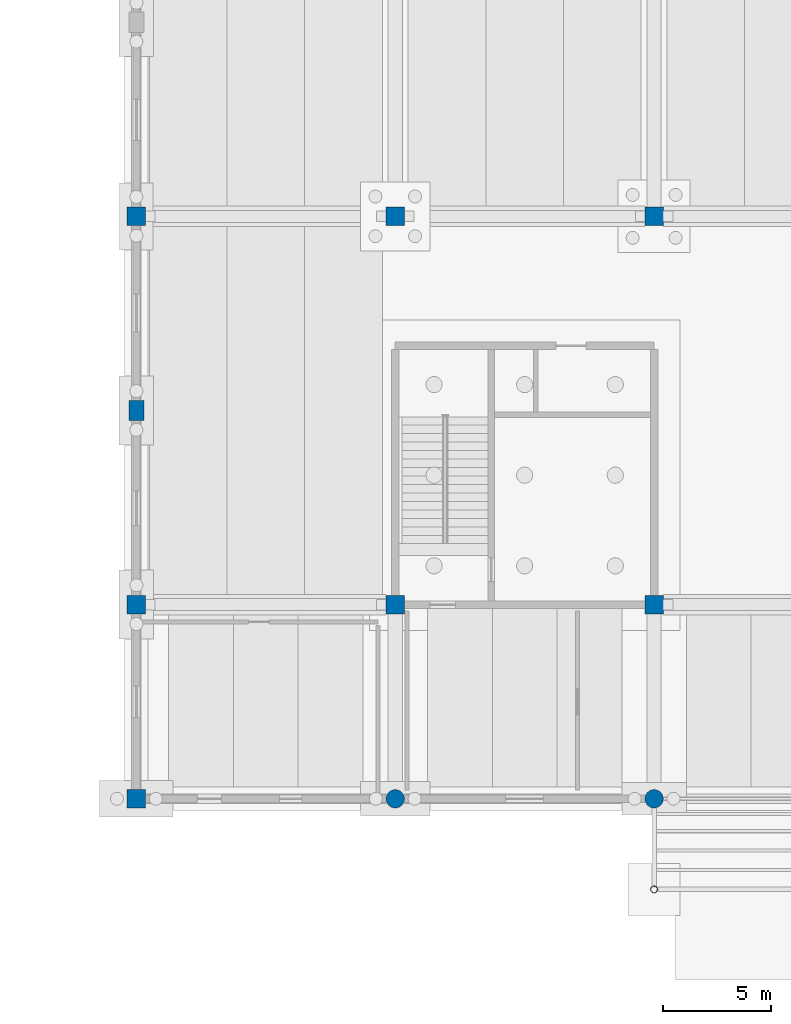
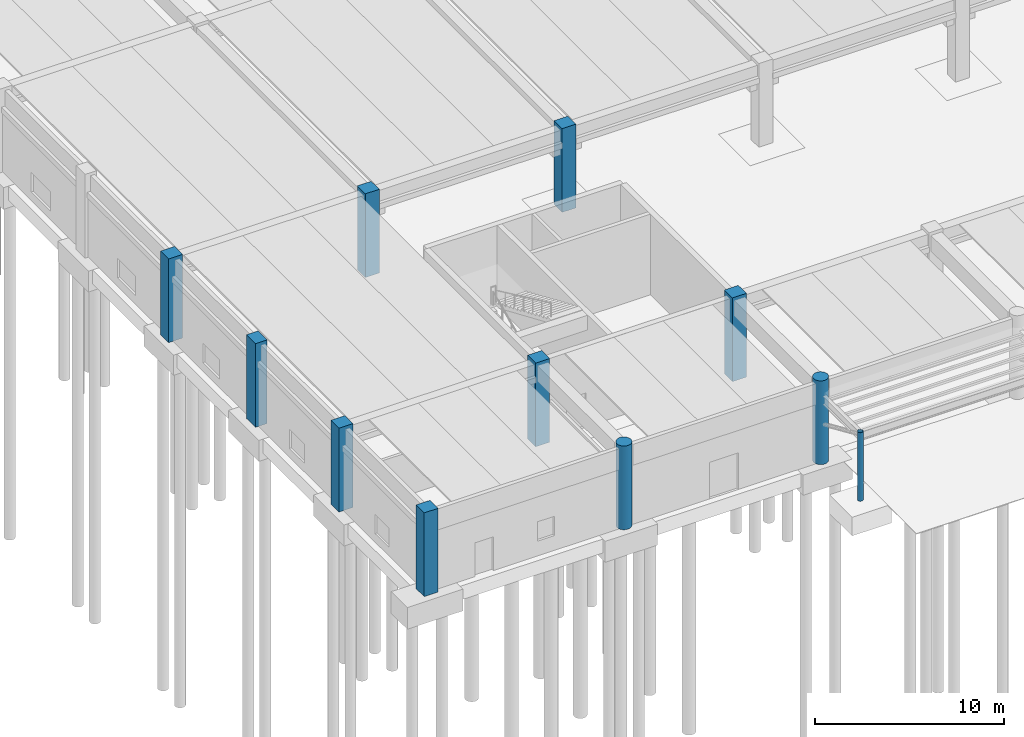
# One storey, part 6 of 59: 11 columns.
"""IFC4 building model written with IfcOpenShell, lengths in metres."""

from ifc_helpers import new_model, si_unit, direction, frame, origin, origin_2d, place, context, subcontext, project, spatial, rectangle, circle, hollow_circle, extrude, material, material_profile, profile_set, type_object, element, save


model = new_model("IFC4")

# Units and contexts
model_context = context("Model", 3, precision=1e-05, world=origin(), true_north=direction((0.0, 1.0)))
body_context = subcontext(model_context, "Body", "Model", "MODEL_VIEW")
ifc_project = project(units=[si_unit("LENGTHUNIT", "METRE"), si_unit("AREAUNIT", "SQUARE_METRE"), si_unit("VOLUMEUNIT", "CUBIC_METRE"), si_unit("PLANEANGLEUNIT", "RADIAN"), si_unit("MASSUNIT", "GRAM", prefix="KILO")], contexts=[model_context])

# Site, building, storey
site_placement = place(None, origin())
site = spatial("IfcSite", under=ifc_project, at=site_placement, CompositionType="ELEMENT")
building_placement = place(site_placement, origin())
building = spatial("IfcBuilding", under=site, at=building_placement, Name="Girod Span Mobility Hub", CompositionType="ELEMENT")
storey_placement = place(building_placement, origin())
storey = spatial("IfcBuildingStorey", under=building, at=storey_placement, Name="L00", CompositionType="ELEMENT", Elevation=0.0)

# Columns
ifc_material_1 = material(Name="Concrete C40/50", Category="concrete")
ifc_material_profile_1 = material_profile(ifc_material_1, rectangle(XDim=0.85009765625, YDim=0.85009765625, at=origin_2d()), Name="PC-COL-850X850")
ifc_profile_set_1 = profile_set([ifc_material_profile_1], Name="Concrete C40/50")
column_type_1 = type_object("IfcColumnType", Name="COL-PC-850X850", PredefinedType="COLUMN", material=ifc_profile_set_1)
for number, where, z_axis, x_axis, name in (
    (1, (0.0, 0.0, 0.0), (0.0, 0.0, 1.0), (1.0, 0.0, 0.0), "Column 1A L00"),
    (2, (0.0, 9.0, 0.0), (0.0, 0.0, 1.0), (1.0, 0.0, 0.0), "Column 1B L00"),
    (3, (0.0, 27.0, 0.0), (0.0, 0.0, 1.0), (1.0, 0.0, 0.0), "Column 1C L00"),
    (4, (12.0, 9.0, 0.0), (0.0, 0.0, 1.0), (1.0, 0.0, 0.0), "Column 2B L00"),
    (5, (12.0, 27.0, 0.0), (0.0, 0.0, 1.0), (1.0, 0.0, 0.0), "Column 2C L00"),
    (6, (24.0, 9.0, 0.0), (0.0, 0.0, 1.0), (1.0, 0.0, 0.0), "Column 3B L00"),
    (7, (24.0, 27.0, 0.0), (0.0, 0.0, 1.0), (1.0, 0.0, 0.0), "Column 3C L00"),
):
    element("IfcColumn", number, at=place(storey_placement, frame(where, z_axis=z_axis, x_axis=x_axis)), inside=storey, type_object=column_type_1, Name=name, PredefinedType="COLUMN", context=body_context, shape_type="SweptSolid", body=[
        extrude(rectangle(XDim=0.85009765625, YDim=0.85009765625, at=origin_2d()), origin(), (0.0, 0.0, 1.0), 5.39990234375),
    ])
ifc_material_2 = material(Name="Concrete C40/50", Category="concrete")
ifc_material_profile_2 = material_profile(ifc_material_2, circle(Radius=0.425048828125, at=origin_2d()), Name="PC-CIR-D850")
ifc_profile_set_2 = profile_set([ifc_material_profile_2], Name="Concrete C40/50")
column_type_2 = type_object("IfcColumnType", Name="COL-PC-D850", PredefinedType="COLUMN", material=ifc_profile_set_2)
for number, where, z_axis, x_axis, name in (
    (8, (12.0, 0.0, 0.0), (0.0, 0.0, 1.0), (1.0, 0.0, 0.0), "Column 2A L00"),
    (9, (24.0, 0.0, 0.0), (0.0, 0.0, 1.0), (1.0, 0.0, 0.0), "Column 3A L00"),
):
    element("IfcColumn", number, at=place(storey_placement, frame(where, z_axis=z_axis, x_axis=x_axis)), inside=storey, type_object=column_type_2, Name=name, PredefinedType="COLUMN", context=body_context, shape_type="SweptSolid", body=[
        extrude(circle(Radius=0.425048828125, at=origin_2d()), origin(), (0.0, 0.0, 1.0), 5.39990234375),
    ])
ifc_material_3 = material(Name="Steel HSS A500 Grade C", Category="steel")
ifc_material_profile_3 = material_profile(ifc_material_3, hollow_circle(Radius=0.162109375, WallThickness=0.01171875, at=origin_2d()), Name="HSS324X12.7")
ifc_profile_set_3 = profile_set([ifc_material_profile_3], Name="Steel HSS A500 Grade C")
column_type_3 = type_object("IfcColumnType", Name="COL-STL-HSS324", PredefinedType="COLUMN", material=ifc_profile_set_3)
column_1_placement = place(storey_placement, frame((24.0, -4.199951171875, 0.0), z_axis=(0.0, 0.0, 1.0), x_axis=(1.0, 0.0, 0.0)))
element("IfcColumn", 10, at=column_1_placement, inside=storey, type_object=column_type_3, Name="Boulevard Canopy Column CN-1", PredefinedType="COLUMN", context=body_context, shape_type="SweptSolid", body=[
    extrude(hollow_circle(Radius=0.162109375, WallThickness=0.01171875, at=origin_2d()), origin(), (0.0, 0.0, 1.0), 4.419921875),
])
ifc_material_4 = material(Name="Concrete C40/50", Category="concrete")
ifc_material_profile_4 = material_profile(ifc_material_4, rectangle(XDim=0.699951171875, YDim=0.949951171875, at=origin_2d()), Name="PC-PIL-700X950")
ifc_profile_set_4 = profile_set([ifc_material_profile_4], Name="Concrete C40/50")
column_type_4 = type_object("IfcColumnType", Name="PIL-PC-700X950", PredefinedType="PILASTER", material=ifc_profile_set_4)
column_2_placement = place(storey_placement, frame((0.0, 18.0, 0.0), z_axis=(0.0, 0.0, 1.0), x_axis=(1.0, 0.0, 0.0)))
element("IfcColumn", 11, at=column_2_placement, inside=storey, type_object=column_type_4, Name="Precast Pilaster PIL-W-18 L00", PredefinedType="PILASTER", context=body_context, shape_type="SweptSolid", body=[
    extrude(rectangle(XDim=0.699951171875, YDim=0.949951171875, at=origin_2d()), origin(), (0.0, 0.0, 1.0), 5.39990234375),
])

save(model, "model.ifc")
